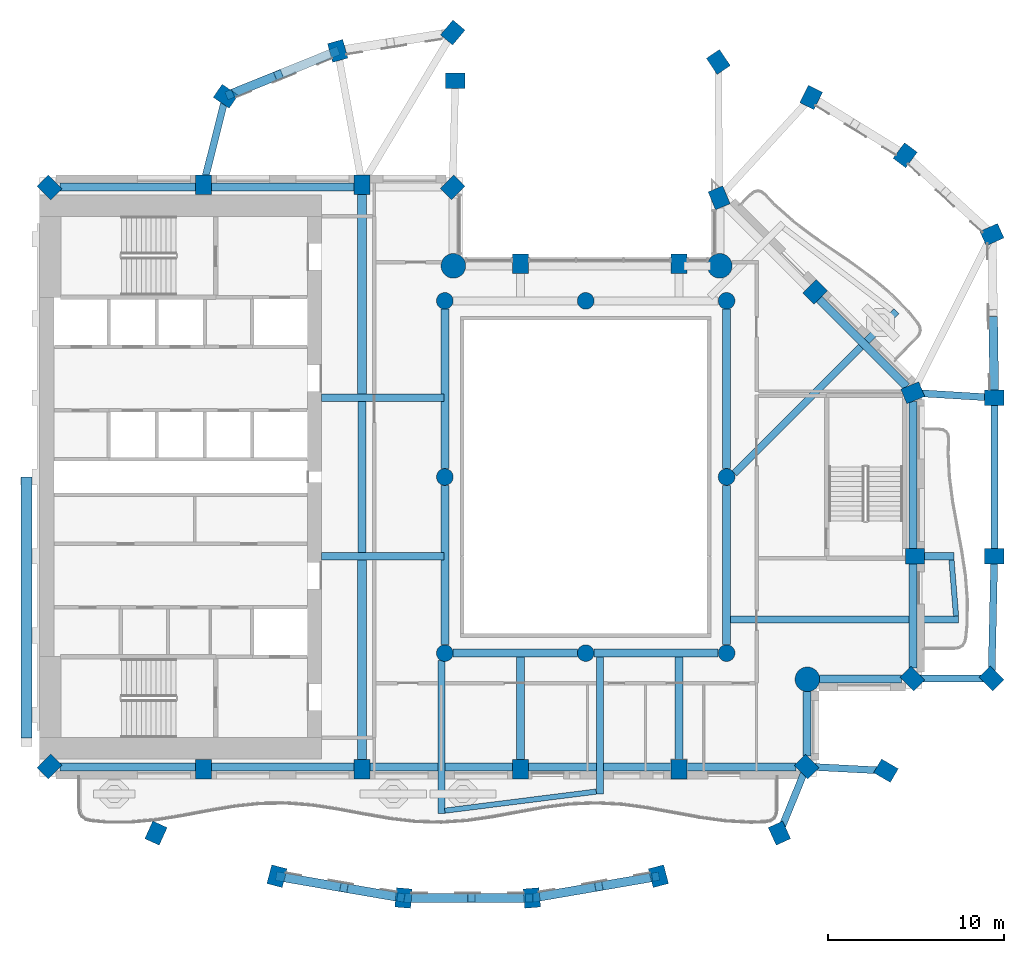
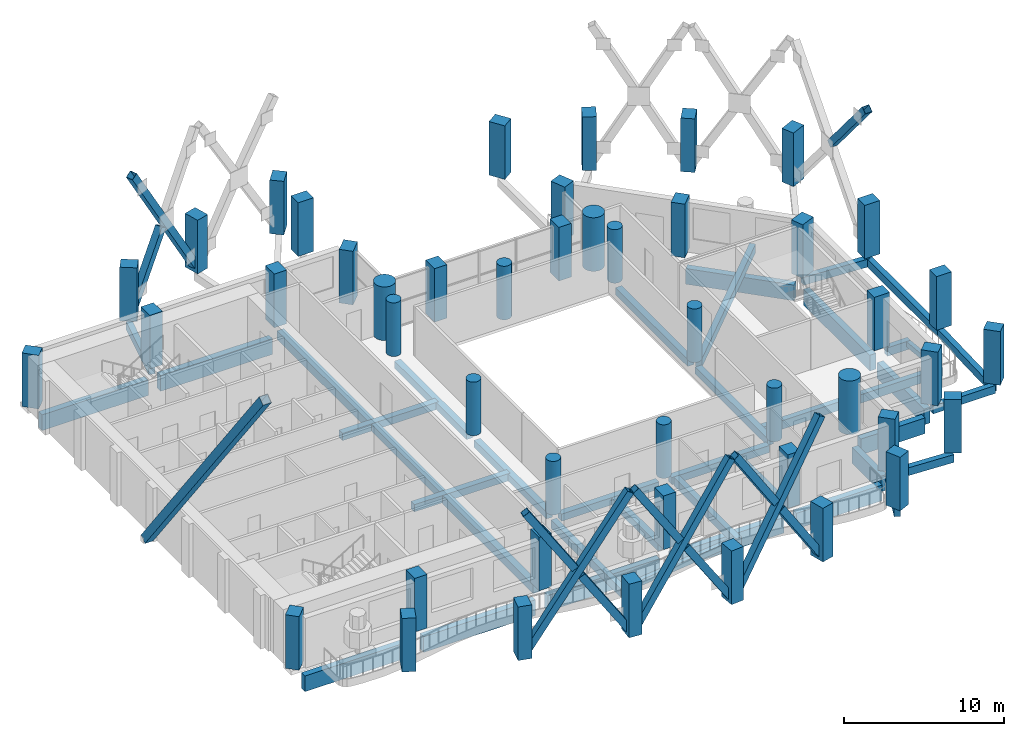
# One storey, part 1 of 17: 46 columns, 39 beams, 13 members.
"""IFC4 building model written with IfcOpenShell, lengths in metres."""

from ifc_helpers import new_model, si_unit, direction, frame, origin, origin_2d, place, context, subcontext, project, spatial, rectangle, hollow_rectangle, circle, extrude, material, material_profile, profile_set, type_object, element, save


model = new_model("IFC4")

# Units and contexts
model_context = context("Model", 3, precision=1e-05, world=origin(), true_north=direction((0.0, 1.0)))
body_context = subcontext(model_context, "Body", "Model", "MODEL_VIEW")
ifc_project = project(units=[si_unit("LENGTHUNIT", "METRE"), si_unit("AREAUNIT", "SQUARE_METRE"), si_unit("VOLUMEUNIT", "CUBIC_METRE"), si_unit("PLANEANGLEUNIT", "RADIAN"), si_unit("MASSUNIT", "GRAM", prefix="KILO")], contexts=[model_context])

# Site, building, storey
site_placement = place(None, origin())
site = spatial("IfcSite", under=ifc_project, at=site_placement, CompositionType="ELEMENT")
building_placement = place(site_placement, origin())
building = spatial("IfcBuilding", under=site, at=building_placement, Name="Cypress Arch Tower", CompositionType="ELEMENT")
storey_placement = place(building_placement, frame((0.0, 0.0, 217.89990234375)))
storey = spatial("IfcBuildingStorey", under=building, at=storey_placement, Name="L48", CompositionType="ELEMENT", Elevation=217.89990234375)

# Columns
ifc_material_1 = material(Name="Concrete C70/85", Category="concrete")
ifc_material_profile_1 = material_profile(ifc_material_1, rectangle(XDim=0.89990234375, YDim=1.10009765625, at=origin_2d()), Name="RC 900x1100")
ifc_profile_set_1 = profile_set([ifc_material_profile_1], Name="Concrete C70/85")
column_type_1 = type_object("IfcColumnType", Name="Column RC 900x1100 Concrete C70/85", PredefinedType="COLUMN", material=ifc_profile_set_1)
for number, where, z_axis, x_axis, name in (
    (1, (-29.44287109375, 16.44287109375, 0.0), (0.0, 0.0, 1.0), (-0.707106781187, -0.707106781187, 0.0), "Column L48 CB00"),
    (2, (-29.44287109375, -16.44287109375, 0.0), (0.0, 0.0, 1.0), (0.707106781187, -0.707106781187, 0.0), "Column L48 CB01"),
    (3, (-20.699951171875, -16.60009765625, 0.0), (0.0, 0.0, 1.0), (1.0, 0.0, 0.0), "Column L48 CB02"),
    (4, (-11.699951171875, -16.60009765625, 0.0), (0.0, 0.0, 1.0), (1.0, 0.0, 0.0), "Column L48 CB03"),
    (5, (-2.699951171875, -16.60009765625, 0.0), (0.0, 0.0, 1.0), (1.0, 0.0, 0.0), "Column L48 CB04"),
    (6, (6.300048828125, -16.60009765625, 0.0), (0.0, 0.0, 1.0), (1.0, 0.0, 0.0), "Column L48 CB05"),
    (7, (13.54296875, -16.44287109375, 0.0), (0.0, 0.0, 1.0), (0.707106781187, 0.707106781187, 0.0), "Column L48 CB06"),
    (8, (19.54296875, -11.44287109375, 0.0), (0.0, 0.0, 1.0), (0.707106781187, 0.707106781187, 0.0), "Column L48 CB08"),
    (9, (19.699951171875, -4.5, 0.0), (0.0, 0.0, 1.0), (0.0, 1.0, 0.0), "Column L48 CB09"),
    (10, (19.569580078125, 4.7802734375, 0.0), (0.0, 0.0, 1.0), (-0.382683496864, 0.923879505795, 0.0), "Column L48 CB10"),
    (11, (14.029296875, 10.505126953125, 0.0), (0.0, 0.0, 1.0), (-0.707106781187, 0.707106781187, 0.0), "Column L48 CB11"),
    (12, (8.576171875, 15.850341796875, 0.0), (0.0, 0.0, 1.0), (-0.923879672772, -0.382683093746, 0.0), "Column L48 CB12"),
    (13, (6.300048828125, 12.10009765625, 0.0), (0.0, 0.0, 1.0), (-1.0, 0.0, 0.0), "Column L48 CB14"),
    (14, (-2.699951171875, 12.10009765625, 0.0), (0.0, 0.0, 1.0), (-1.0, 0.0, 0.0), "Column L48 CB15"),
    (15, (-6.55712890625, 16.44287109375, 0.0), (0.0, 0.0, 1.0), (-0.707106781187, 0.707106781187, 0.0), "Column L48 CB17"),
    (16, (-11.699951171875, 16.60009765625, 0.0), (0.0, 0.0, 1.0), (-1.0, 0.0, 0.0), "Column L48 CB18"),
    (17, (-20.699951171875, 16.60009765625, 0.0), (0.0, 0.0, 1.0), (-1.0, 0.0, 0.0), "Column L48 CB19"),
    (18, (8.53076171875, 23.564697265625, 0.0), (0.0, 0.0, 1.0), (-0.828469606019, -0.560034027451, 0.0), "Column L48 CQ00"),
    (19, (-6.39990234375, 22.5, 0.0), (0.0, 0.0, 1.0), (0.0, 1.0, 0.0), "Column L48 CQ01"),
    (20, (-6.54833984375, 25.236572265625, 0.0), (0.0, 0.0, 1.0), (-0.766063514674, 0.642764880407, 0.0), "Column L48 CQ02"),
    (21, (-13.081298828125, 24.193359375, 0.0), (0.0, 0.0, 1.0), (-0.96345574646, -0.267867550506, 0.0), "Column L48 CQ03"),
    (22, (-19.44189453125, 21.616943359375, 0.0), (0.0, 0.0, 1.0), (-0.565892599589, -0.824478966215, 0.0), "Column L48 CQ04"),
    (23, (-23.398193359375, -20.221435546875, 0.0), (0.0, 0.0, 1.0), (0.909932071487, -0.414757308891, 0.0), "Column L48 CQ05"),
    (24, (-16.529052734375, -22.666259765625, 0.0), (0.0, 0.0, 1.0), (0.96735573689, -0.2534223319, 0.0), "Column L48 CQ06"),
    (25, (-9.3427734375, -23.903564453125, 0.0), (0.0, 0.0, 1.0), (0.996368206733, -0.085149260784, 0.0), "Column L48 CQ07"),
    (26, (-2.057373046875, -23.903564453125, 0.0), (0.0, 0.0, 1.0), (0.996368206733, 0.085149260784, 0.0), "Column L48 CQ08"),
    (27, (5.12890625, -22.666259765625, 0.0), (0.0, 0.0, 1.0), (0.96735573689, 0.2534223319, 0.0), "Column L48 CQ09"),
    (28, (11.998291015625, -20.221435546875, 0.0), (0.0, 0.0, 1.0), (0.909932071487, 0.414757308891, 0.0), "Column L48 CQ10"),
    (29, (18.048095703125, -16.677490234375, 0.0), (0.0, 0.0, 1.0), (0.504399289829, 0.86347053014, 0.0), "Column L48 CQ11"),
    (30, (24.04296875, -11.44287109375, 0.0), (0.0, 0.0, 1.0), (0.707106781187, 0.707106781187, 0.0), "Column L48 CQ12"),
    (31, (24.199951171875, -4.5, 0.0), (0.0, 0.0, 1.0), (0.0, 1.0, 0.0), "Column L48 CQ13"),
    (32, (24.199951171875, 4.5, 0.0), (0.0, 0.0, 1.0), (0.0, 1.0, 0.0), "Column L48 CQ14"),
    (33, (24.06396484375, 13.75927734375, 0.0), (0.0, 0.0, 1.0), (-0.409765058504, 0.912191096662, 0.0), "Column L48 CQ15"),
    (34, (19.13818359375, 18.267578125, 0.0), (0.0, 0.0, 1.0), (-0.802798546114, 0.596250362144, 0.0), "Column L48 CQ16"),
    (35, (13.80322265625, 21.549072265625, 0.0), (0.0, 0.0, 1.0), (-0.893106499805, 0.44984528452, 0.0), "Column L48 CQ17"),
):
    element("IfcColumn", number, at=place(storey_placement, frame(where, z_axis=z_axis, x_axis=x_axis)), inside=storey, type_object=column_type_1, Name=name, PredefinedType="COLUMN", context=body_context, shape_type="SweptSolid", body=[
        extrude(rectangle(XDim=0.89990234375, YDim=1.10009765625, at=origin_2d()), origin(), (0.0, 0.0, 1.0), 4.10009765625),
    ])
ifc_material_2 = material(Name="Concrete C70/85", Category="concrete")
ifc_material_profile_2 = material_profile(ifc_material_2, circle(Radius=0.47509765625, at=origin_2d()), Name="RC D950")
ifc_profile_set_2 = profile_set([ifc_material_profile_2], Name="Concrete C70/85")
column_type_2 = type_object("IfcColumnType", Name="Column RC D950 Concrete C70/85", PredefinedType="COLUMN", material=ifc_profile_set_2)
for number, where, z_axis, x_axis, name in (
    (36, (-7.0, -10.0, 0.0), (0.0, 0.0, 1.0), (1.0, 0.0, 0.0), "Column L48 RNG-L48-G-7-10"),
    (37, (-7.0, 0.0, 0.0), (0.0, 0.0, 1.0), (1.0, 0.0, 0.0), "Column L48 RNG-L48-G-7+0"),
    (38, (-7.0, 10.0, 0.0), (0.0, 0.0, 1.0), (1.0, 0.0, 0.0), "Column L48 RNG-L48-G-7+10"),
    (39, (1.0, -10.0, 0.0), (0.0, 0.0, 1.0), (1.0, 0.0, 0.0), "Column L48 RNG-L48-G+1-10"),
    (40, (1.0, 10.0, 0.0), (0.0, 0.0, 1.0), (1.0, 0.0, 0.0), "Column L48 RNG-L48-G+1+10"),
    (41, (9.0, -10.0, 0.0), (0.0, 0.0, 1.0), (1.0, 0.0, 0.0), "Column L48 RNG-L48-G+9-10"),
    (42, (9.0, 0.0, 0.0), (0.0, 0.0, 1.0), (1.0, 0.0, 0.0), "Column L48 RNG-L48-G+9+0"),
    (43, (9.0, 10.0, 0.0), (0.0, 0.0, 1.0), (1.0, 0.0, 0.0), "Column L48 RNG-L48-G+9+10"),
):
    element("IfcColumn", number, at=place(storey_placement, frame(where, z_axis=z_axis, x_axis=x_axis)), inside=storey, type_object=column_type_2, Name=name, PredefinedType="COLUMN", context=body_context, shape_type="SweptSolid", body=[
        extrude(circle(Radius=0.47509765625, at=origin_2d()), origin(), (0.0, 0.0, 1.0), 4.10009765625),
    ])
ifc_material_3 = material(Name="Concrete C70/85", Category="concrete")
ifc_material_profile_3 = material_profile(ifc_material_3, circle(Radius=0.699951171875, at=origin_2d()), Name="RC D1400")
ifc_profile_set_3 = profile_set([ifc_material_profile_3], Name="Concrete C70/85")
column_type_3 = type_object("IfcColumnType", Name="Mega-column RC D1400 Concrete C70/85", PredefinedType="COLUMN", material=ifc_profile_set_3)
for number, where, z_axis, x_axis, name in (
    (44, (13.587890625, -11.48779296875, 0.0), (0.0, 0.0, 1.0), (1.0, 0.0, 0.0), "Column L48 CB07"),
    (45, (8.612060546875, 11.98779296875, 0.0), (0.0, 0.0, 1.0), (1.0, 0.0, 0.0), "Column L48 CB13"),
    (46, (-6.51220703125, 11.98779296875, 0.0), (0.0, 0.0, 1.0), (1.0, 0.0, 0.0), "Column L48 CB16"),
):
    element("IfcColumn", number, at=place(storey_placement, frame(where, z_axis=z_axis, x_axis=x_axis)), inside=storey, type_object=column_type_3, Name=name, PredefinedType="COLUMN", context=body_context, shape_type="SweptSolid", body=[
        extrude(circle(Radius=0.699951171875, at=origin_2d()), origin(), (0.0, 0.0, 1.0), 4.10009765625),
    ])

# Beams
ifc_material_4 = material(Name="Concrete C50/60", Category="concrete")
ifc_material_profile_4 = material_profile(ifc_material_4, rectangle(XDim=0.300048828125, YDim=0.39990234375, at=origin_2d()), Name="RC 300x400")
ifc_profile_set_4 = profile_set([ifc_material_profile_4], Name="Concrete C50/60")
beam_type_1 = type_object("IfcBeamType", Name="Balcony edge beam RC 300x400 Concrete C50/60", PredefinedType="BEAM", material=ifc_profile_set_4)
beam_1_placement = place(storey_placement, frame((22.029052734375, -7.89990234375, -0.5), z_axis=(-0.080911835142, 0.996721262407, 0.0), x_axis=(-0.996721262407, -0.080911835142, 0.0)))
element("IfcBeam", 47, at=beam_1_placement, inside=storey, type_object=beam_type_1, Name="Balcony edge beam L48 B04", PredefinedType="BEAM", context=body_context, shape_type="SweptSolid", body=[
    extrude(rectangle(XDim=0.300048828125, YDim=0.39990234375, at=origin_2d()), origin(), (0.0, 0.0, 1.0), 3.21044921875),
])
ifc_material_5 = material(Name="Concrete C50/60", Category="concrete")
ifc_material_profile_5 = material_profile(ifc_material_5, rectangle(XDim=0.300048828125, YDim=0.449951171875, at=origin_2d()), Name="RC 300x450")
ifc_profile_set_5 = profile_set([ifc_material_profile_5], Name="Concrete C50/60")
beam_type_2 = type_object("IfcBeamType", Name="Balcony edge beam RC 300x450 Concrete C50/60", PredefinedType="BEAM", material=ifc_profile_set_5)
beam_2_placement = place(storey_placement, frame((-7.0, -18.947021484375, -0.52490234375), z_axis=(0.99213247763, 0.125192439195, 0.0), x_axis=(-0.125192439195, 0.99213247763, 0.0)))
element("IfcBeam", 48, at=beam_2_placement, inside=storey, type_object=beam_type_2, Name="Balcony edge beam L48 B01", PredefinedType="BEAM", context=body_context, shape_type="SweptSolid", body=[
    extrude(rectangle(XDim=0.300048828125, YDim=0.449951171875, at=origin_2d()), origin(), (0.0, 0.0, 1.0), 8.668212890625),
])
ifc_material_6 = material(Name="Concrete C50/60", Category="concrete")
ifc_material_profile_6 = material_profile(ifc_material_6, rectangle(XDim=0.39990234375, YDim=0.64990234375, at=origin_2d()), Name="RC 400x650")
ifc_profile_set_6 = profile_set([ifc_material_profile_6], Name="Concrete C50/60")
beam_type_3 = type_object("IfcBeamType", Name="Cantilever beam RC 400x650 Concrete C50/60", PredefinedType="BEAM", material=ifc_profile_set_6)
beam_3_placement = place(storey_placement, frame((-7.199951171875, -10.4306640625, -0.625), z_axis=(0.0, -1.0, 0.0), x_axis=(1.0, 0.0, 0.0)))
element("IfcBeam", 49, at=beam_3_placement, inside=storey, type_object=beam_type_3, Name="Cantilever beam L48 B01 1", PredefinedType="BEAM", context=body_context, shape_type="SweptSolid", body=[
    extrude(rectangle(XDim=0.39990234375, YDim=0.64990234375, at=origin_2d()), origin(), (0.0, 0.0, 1.0), 8.66650390625),
])
beam_4_placement = place(storey_placement, frame((1.800048828125, -10.22509765625, -0.625), z_axis=(0.0, -1.0, 0.0), x_axis=(1.0, 0.0, 0.0)))
element("IfcBeam", 50, at=beam_4_placement, inside=storey, type_object=beam_type_3, Name="Cantilever beam L48 B01 2", PredefinedType="BEAM", context=body_context, shape_type="SweptSolid", body=[
    extrude(rectangle(XDim=0.39990234375, YDim=0.64990234375, at=origin_2d()), origin(), (0.0, 0.0, 1.0), 7.78662109375),
])
beam_5_placement = place(storey_placement, frame((9.22509765625, -8.10009765625, -0.625), z_axis=(1.0, 0.0, 0.0), x_axis=(0.0, 1.0, 0.0)))
element("IfcBeam", 51, at=beam_5_placement, inside=storey, type_object=beam_type_3, Name="Cantilever beam L48 B04 1", PredefinedType="BEAM", context=body_context, shape_type="SweptSolid", body=[
    extrude(rectangle(XDim=0.39990234375, YDim=0.64990234375, at=origin_2d()), origin(), (0.0, 0.0, 1.0), 12.9541015625),
])
beam_6_placement = place(storey_placement, frame((20.25, -4.5, -0.625), z_axis=(1.0, 0.0, 0.0), x_axis=(0.0, 1.0, 0.0)))
element("IfcBeam", 52, at=beam_6_placement, inside=storey, type_object=beam_type_3, Name="Cantilever beam L48 B04 2", PredefinedType="BEAM", context=body_context, shape_type="SweptSolid", body=[
    extrude(rectangle(XDim=0.39990234375, YDim=0.64990234375, at=origin_2d()), origin(), (0.0, 0.0, 1.0), 1.66943359375),
])
beam_7_placement = place(storey_placement, frame((9.4287109375, 0.204345703125, -0.625), z_axis=(0.707106781187, 0.707106781187, 0.0), x_axis=(-0.707106781187, 0.707106781187, 0.0)))
element("IfcBeam", 53, at=beam_7_placement, inside=storey, type_object=beam_type_3, Name="Cantilever beam L48 B05 1", PredefinedType="BEAM", context=body_context, shape_type="SweptSolid", body=[
    extrude(rectangle(XDim=0.39990234375, YDim=0.64990234375, at=origin_2d()), origin(), (0.0, 0.0, 1.0), 13.0185546875),
])

# Members
ifc_material_7 = material(Name="Steel ASTM A500 Grade C", Category="steel")
ifc_material_profile_7 = material_profile(ifc_material_7, hollow_rectangle(XDim=0.508056640625, YDim=0.508056640625, WallThickness=0.017578125, at=origin_2d()), Name="HSS 20x20x3/4")
ifc_profile_set_7 = profile_set([ifc_material_profile_7], Name="Steel ASTM A500 Grade C")
member_type_1 = type_object("IfcMemberType", Name="Exoskeleton brace HSS 20x20x3/4 Steel ASTM A500 Grade C", PredefinedType="BRACE", material=ifc_profile_set_7)
member_1_placement = place(storey_placement, frame((-13.226806640625, 24.13427734375, 0.25390625), z_axis=(-0.487398996973, -0.197419142906, 0.850569162246), x_axis=(0.375419205313, -0.926855123675, 0.0)))
element("IfcMember", 54, at=member_1_placement, inside=storey, type_object=member_type_1, Name="Exoskeleton brace L48 CQ03-CQ04a", PredefinedType="BRACE", context=body_context, shape_type="SweptSolid", body=[
    extrude(hollow_rectangle(XDim=0.508056640625, YDim=0.508056640625, WallThickness=0.017578125, at=origin_2d()), origin(), (0.0, 0.0, 1.0), 12.288818359375),
])
member_2_placement = place(storey_placement, frame((-19.21630859375, 21.708251953125, 0.39404296875), z_axis=(0.492196682615, 0.199382322457, 0.847342383641), x_axis=(-0.375451388539, 0.926842087329, 0.0)))
element("IfcMember", 55, at=member_2_placement, inside=storey, type_object=member_type_1, Name="Exoskeleton brace L48 CQ03-CQ04b2", PredefinedType="BRACE", context=body_context, shape_type="SweptSolid", body=[
    extrude(hollow_rectangle(XDim=0.508056640625, YDim=0.508056640625, WallThickness=0.017578125, at=origin_2d()), origin(), (0.0, 0.0, 1.0), 5.63623046875),
])
member_3_placement = place(storey_placement, frame((-16.371826171875, -22.693115234375, 0.24267578125), z_axis=(0.541092669505, -0.093193735319, 0.835783255818), x_axis=(0.169733395085, 0.9854900175, 0.0)))
element("IfcMember", 56, at=member_3_placement, inside=storey, type_object=member_type_1, Name="Exoskeleton brace L48 CQ06-CQ07a", PredefinedType="BRACE", context=body_context, shape_type="SweptSolid", body=[
    extrude(hollow_rectangle(XDim=0.508056640625, YDim=0.508056640625, WallThickness=0.017578125, at=origin_2d()), origin(), (0.0, 0.0, 1.0), 12.700439453125),
])
for number, where, z_axis, x_axis, name in (
    (57, (-16.371826171875, -22.693115234375, 10.857421875), (0.541088154541, -0.093210601293, -0.835784298023), (0.169764603538, 0.985484641882, 0.0), "Exoskeleton brace L48 CQ06-CQ07b1"),
    (58, (-9.499755859375, -23.876708984375, 0.24267578125), (-0.541088154541, 0.093210601293, 0.835784298023), (-0.169764603538, -0.985484641882, 0.0), "Exoskeleton brace L48 CQ06-CQ07b2"),
):
    element("IfcMember", number, at=place(storey_placement, frame(where, z_axis=z_axis, x_axis=x_axis)), inside=storey, type_object=member_type_1, Name=name, PredefinedType="BRACE", context=body_context, shape_type="SweptSolid", body=[
        extrude(hollow_rectangle(XDim=0.508056640625, YDim=0.508056640625, WallThickness=0.017578125, at=origin_2d()), origin(), (0.0, 0.0, 1.0), 5.964111328125),
    ])
member_4_placement = place(storey_placement, frame((-9.183349609375, -23.903564453125, 0.24267578125), z_axis=(0.548704321507, 0.0, 0.836016487612), x_axis=(0.0, 1.0, 0.0)))
element("IfcMember", 59, at=member_4_placement, inside=storey, type_object=member_type_1, Name="Exoskeleton brace L48 CQ07-CQ08a", PredefinedType="BRACE", context=body_context, shape_type="SweptSolid", body=[
    extrude(hollow_rectangle(XDim=0.508056640625, YDim=0.508056640625, WallThickness=0.017578125, at=origin_2d()), origin(), (0.0, 0.0, 1.0), 12.69677734375),
])
member_5_placement = place(storey_placement, frame((-9.183349609375, -23.903564453125, 10.857421875), z_axis=(0.548703848846, 0.0, -0.836016797835), x_axis=(0.0, 1.0, 0.0)))
element("IfcMember", 60, at=member_5_placement, inside=storey, type_object=member_type_1, Name="Exoskeleton brace L48 CQ07-CQ08b1", PredefinedType="BRACE", context=body_context, shape_type="SweptSolid", body=[
    extrude(hollow_rectangle(XDim=0.508056640625, YDim=0.508056640625, WallThickness=0.017578125, at=origin_2d()), origin(), (0.0, 0.0, 1.0), 5.961669921875),
])
member_6_placement = place(storey_placement, frame((-2.216552734375, -23.903564453125, 0.24267578125), z_axis=(-0.548713684642, 0.0, 0.836010342213), x_axis=(0.0, -1.0, 0.0)))
element("IfcMember", 61, at=member_6_placement, inside=storey, type_object=member_type_1, Name="Exoskeleton brace L48 CQ07-CQ08b2", PredefinedType="BRACE", context=body_context, shape_type="SweptSolid", body=[
    extrude(hollow_rectangle(XDim=0.508056640625, YDim=0.508056640625, WallThickness=0.017578125, at=origin_2d()), origin(), (0.0, 0.0, 1.0), 5.962158203125),
])
member_7_placement = place(storey_placement, frame((-1.900146484375, -23.876708984375, 0.24267578125), z_axis=(0.541092669505, 0.093193735319, 0.835783255818), x_axis=(-0.169733395085, 0.9854900175, 0.0)))
element("IfcMember", 62, at=member_7_placement, inside=storey, type_object=member_type_1, Name="Exoskeleton brace L48 CQ08-CQ09a", PredefinedType="BRACE", context=body_context, shape_type="SweptSolid", body=[
    extrude(hollow_rectangle(XDim=0.508056640625, YDim=0.508056640625, WallThickness=0.017578125, at=origin_2d()), origin(), (0.0, 0.0, 1.0), 12.700439453125),
])
for number, where, z_axis, x_axis, name in (
    (63, (-1.900146484375, -23.876708984375, 10.857421875), (0.541088154541, 0.093210601293, -0.835784298023), (-0.169764603538, 0.985484641882, 0.0), "Exoskeleton brace L48 CQ08-CQ09b1"),
    (64, (4.971923828125, -22.693115234375, 0.24267578125), (-0.541088154541, -0.093210601293, 0.835784298023), (0.169764603538, -0.985484641882, 0.0), "Exoskeleton brace L48 CQ08-CQ09b2"),
):
    element("IfcMember", number, at=place(storey_placement, frame(where, z_axis=z_axis, x_axis=x_axis)), inside=storey, type_object=member_type_1, Name=name, PredefinedType="BRACE", context=body_context, shape_type="SweptSolid", body=[
        extrude(hollow_rectangle(XDim=0.508056640625, YDim=0.508056640625, WallThickness=0.017578125, at=origin_2d()), origin(), (0.0, 0.0, 1.0), 5.964111328125),
    ])
member_8_placement = place(storey_placement, frame((24.197509765625, 4.675048828125, 10.890380859375), z_axis=(-0.009394565825, 0.638830476121, -0.769290169515), x_axis=(-0.999891886048, -0.014704292442, 0.0)))
element("IfcMember", 65, at=member_8_placement, inside=storey, type_object=member_type_1, Name="Exoskeleton brace L48 CQ14-CQ15b1", PredefinedType="BRACE", context=body_context, shape_type="SweptSolid", body=[
    extrude(hollow_rectangle(XDim=0.508056640625, YDim=0.508056640625, WallThickness=0.017578125, at=origin_2d()), origin(), (0.0, 0.0, 1.0), 6.65283203125),
])

# Beams
ifc_material_8 = material(Name="Concrete C50/60", Category="concrete")
ifc_material_profile_8 = material_profile(ifc_material_8, rectangle(XDim=0.449951171875, YDim=0.550048828125, at=origin_2d()), Name="RC 450x550")
ifc_profile_set_8 = profile_set([ifc_material_profile_8], Name="Concrete C50/60")
beam_type_4 = type_object("IfcBeamType", Name="Floor beam RC 450x550 Concrete C50/60", PredefinedType="BEAM", material=ifc_profile_set_8)
for number, where, z_axis, x_axis, name in (
    (66, (-7.0, -9.52490234375, -0.574951171875), (0.0, 1.0, 0.0), (-1.0, 0.0, 0.0), "Floor beam L48 RB001"),
    (67, (-7.0, 0.47509765625, -0.574951171875), (0.0, 1.0, 0.0), (-1.0, 0.0, 0.0), "Floor beam L48 RB002"),
    (68, (9.0, -9.52490234375, -0.574951171875), (0.0, 1.0, 0.0), (-1.0, 0.0, 0.0), "Floor beam L48 RB003"),
    (69, (9.0, 0.47509765625, -0.574951171875), (0.0, 1.0, 0.0), (-1.0, 0.0, 0.0), "Floor beam L48 RB004"),
):
    element("IfcBeam", number, at=place(storey_placement, frame(where, z_axis=z_axis, x_axis=x_axis)), inside=storey, type_object=beam_type_4, Name=name, PredefinedType="BEAM", context=body_context, shape_type="SweptSolid", body=[
        extrude(rectangle(XDim=0.449951171875, YDim=0.550048828125, at=origin_2d()), origin(), (0.0, 0.0, 1.0), 9.0498046875),
    ])
for number, where, z_axis, x_axis, name in (
    (70, (-6.52490234375, -10.0, -0.574951171875), (1.0, 0.0, 0.0), (0.0, 1.0, 0.0), "Floor beam L48 RB005"),
    (71, (1.47509765625, -10.0, -0.574951171875), (1.0, 0.0, 0.0), (0.0, 1.0, 0.0), "Floor beam L48 RB006"),
):
    element("IfcBeam", number, at=place(storey_placement, frame(where, z_axis=z_axis, x_axis=x_axis)), inside=storey, type_object=beam_type_4, Name=name, PredefinedType="BEAM", context=body_context, shape_type="SweptSolid", body=[
        extrude(rectangle(XDim=0.449951171875, YDim=0.550048828125, at=origin_2d()), origin(), (0.0, 0.0, 1.0), 7.0498046875),
    ])
for number, where, z_axis, x_axis, name in (
    (72, (-14.0, -4.5, -0.574951171875), (1.0, 0.0, 0.0), (0.0, 1.0, 0.0), "Floor beam L48 FB009"),
    (73, (-14.0, 4.5, -0.574951171875), (1.0, 0.0, 0.0), (0.0, 1.0, 0.0), "Floor beam L48 FB010"),
):
    element("IfcBeam", number, at=place(storey_placement, frame(where, z_axis=z_axis, x_axis=x_axis)), inside=storey, type_object=beam_type_4, Name=name, PredefinedType="BEAM", context=body_context, shape_type="SweptSolid", body=[
        extrude(rectangle(XDim=0.449951171875, YDim=0.550048828125, at=origin_2d()), origin(), (0.0, 0.0, 1.0), 6.949951171875),
    ])
beam_8_placement = place(storey_placement, frame((-11.699951171875, -4.27490234375, -0.574951171875), z_axis=(0.0, 1.0, 0.0), x_axis=(-1.0, 0.0, 0.0)))
element("IfcBeam", 74, at=beam_8_placement, inside=storey, type_object=beam_type_4, Name="Floor beam L48 FB012", PredefinedType="BEAM", context=body_context, shape_type="SweptSolid", body=[
    extrude(rectangle(XDim=0.449951171875, YDim=0.550048828125, at=origin_2d()), origin(), (0.0, 0.0, 1.0), 8.5498046875),
])
for number, where, z_axis, x_axis, name in (
    (75, (-2.699951171875, -16.050048828125, -0.574951171875), (0.0, 1.0, 0.0), (-1.0, 0.0, 0.0), "Floor beam L48 FB014"),
    (76, (6.300048828125, -16.050048828125, -0.574951171875), (0.0, 1.0, 0.0), (-1.0, 0.0, 0.0), "Floor beam L48 FB016"),
):
    element("IfcBeam", number, at=place(storey_placement, frame(where, z_axis=z_axis, x_axis=x_axis)), inside=storey, type_object=beam_type_4, Name=name, PredefinedType="BEAM", context=body_context, shape_type="SweptSolid", body=[
        extrude(rectangle(XDim=0.449951171875, YDim=0.550048828125, at=origin_2d()), origin(), (0.0, 0.0, 1.0), 5.824951171875),
    ])
ifc_material_9 = material(Name="Concrete C50/60", Category="concrete")
ifc_material_profile_9 = material_profile(ifc_material_9, rectangle(XDim=0.5, YDim=0.64990234375, at=origin_2d()), Name="RC 500x650")
ifc_profile_set_9 = profile_set([ifc_material_profile_9], Name="Concrete C50/60")
beam_type_5 = type_object("IfcBeamType", Name="Floor beam RC 500x650 Concrete C50/60", PredefinedType="BEAM", material=ifc_profile_set_9)
for number, where, z_axis, x_axis, name in (
    (77, (-11.699951171875, -16.050048828125, -0.625), (0.0, 1.0, 0.0), (-1.0, 0.0, 0.0), "Floor beam L48 FB011"),
    (78, (-11.699951171875, 4.72509765625, -0.625), (0.0, 1.0, 0.0), (-1.0, 0.0, 0.0), "Floor beam L48 FB013"),
):
    element("IfcBeam", number, at=place(storey_placement, frame(where, z_axis=z_axis, x_axis=x_axis)), inside=storey, type_object=beam_type_5, Name=name, PredefinedType="BEAM", context=body_context, shape_type="SweptSolid", body=[
        extrude(rectangle(XDim=0.5, YDim=0.64990234375, at=origin_2d()), origin(), (0.0, 0.0, 1.0), 11.324951171875),
    ])
ifc_material_10 = material(Name="Concrete C50/60", Category="concrete")
ifc_material_profile_10 = material_profile(ifc_material_10, rectangle(XDim=0.39990234375, YDim=0.60009765625, at=origin_2d()), Name="RC 400x600")
ifc_profile_set_10 = profile_set([ifc_material_profile_10], Name="Concrete C50/60")
beam_type_6 = type_object("IfcBeamType", Name="Pilotis tie beam RC 400x600 Concrete C50/60", PredefinedType="BEAM", material=ifc_profile_set_10)
beam_9_placement = place(storey_placement, frame((-19.44189453125, 21.616943359375, -0.599853515625), z_axis=(-0.243235271871, -0.969967320335, 0.0), x_axis=(0.969967320335, -0.243235271871, 0.0)))
element("IfcBeam", 79, at=beam_9_placement, inside=storey, type_object=beam_type_6, Name="Pilotis tie beam L48 CQ04-CB19", PredefinedType="BEAM", context=body_context, shape_type="SweptSolid", body=[
    extrude(rectangle(XDim=0.39990234375, YDim=0.60009765625, at=origin_2d()), origin(), (0.0, 0.0, 1.0), 5.172119140625),
])
beam_10_placement = place(storey_placement, frame((11.998291015625, -20.221435546875, -0.599853515625), z_axis=(0.378402283859, 0.925641243447, 0.0), x_axis=(-0.925641243447, 0.378402283859, 0.0)))
element("IfcBeam", 80, at=beam_10_placement, inside=storey, type_object=beam_type_6, Name="Pilotis tie beam L48 CQ10-CB06", PredefinedType="BEAM", context=body_context, shape_type="SweptSolid", body=[
    extrude(rectangle(XDim=0.39990234375, YDim=0.60009765625, at=origin_2d()), origin(), (0.0, 0.0, 1.0), 4.08203125),
])
beam_11_placement = place(storey_placement, frame((18.048095703125, -16.677490234375, -0.599853515625), z_axis=(-0.998646679968, 0.052007774316, 0.0), x_axis=(-0.052007774316, -0.998646679968, 0.0)))
element("IfcBeam", 81, at=beam_11_placement, inside=storey, type_object=beam_type_6, Name="Pilotis tie beam L48 CQ11-CB06", PredefinedType="BEAM", context=body_context, shape_type="SweptSolid", body=[
    extrude(rectangle(XDim=0.39990234375, YDim=0.60009765625, at=origin_2d()), origin(), (0.0, 0.0, 1.0), 4.51123046875),
])
beam_12_placement = place(storey_placement, frame((24.04296875, -11.44287109375, -0.599853515625), z_axis=(0.022604813971, 0.999744478547, 0.0), x_axis=(-0.999744478547, 0.022604813971, 0.0)))
element("IfcBeam", 82, at=beam_12_placement, inside=storey, type_object=beam_type_6, Name="Pilotis tie beam L48 CQ12-CQ13", PredefinedType="BEAM", context=body_context, shape_type="SweptSolid", body=[
    extrude(rectangle(XDim=0.39990234375, YDim=0.60009765625, at=origin_2d()), origin(), (0.0, 0.0, 1.0), 6.944580078125),
])
beam_13_placement = place(storey_placement, frame((24.04296875, -11.44287109375, -0.599853515625), z_axis=(-1.0, 0.0, 0.0), x_axis=(0.0, -1.0, 0.0)))
element("IfcBeam", 83, at=beam_13_placement, inside=storey, type_object=beam_type_6, Name="Pilotis tie beam L48 CQ12-CB08", PredefinedType="BEAM", context=body_context, shape_type="SweptSolid", body=[
    extrude(rectangle(XDim=0.39990234375, YDim=0.60009765625, at=origin_2d()), origin(), (0.0, 0.0, 1.0), 4.5),
])
beam_14_placement = place(storey_placement, frame((24.199951171875, 4.5, -0.599853515625), z_axis=(0.0, -1.0, 0.0), x_axis=(1.0, 0.0, 0.0)))
element("IfcBeam", 84, at=beam_14_placement, inside=storey, type_object=beam_type_6, Name="Pilotis tie beam L48 CQ14-CQ13", PredefinedType="BEAM", context=body_context, shape_type="SweptSolid", body=[
    extrude(rectangle(XDim=0.39990234375, YDim=0.60009765625, at=origin_2d()), origin(), (0.0, 0.0, 1.0), 9.0),
])
beam_15_placement = place(storey_placement, frame((24.199951171875, 4.5, -0.599853515625), z_axis=(-0.998173116263, 0.060418788225, 0.0), x_axis=(-0.060418788225, -0.998173116263, 0.0)))
element("IfcBeam", 85, at=beam_15_placement, inside=storey, type_object=beam_type_6, Name="Pilotis tie beam L48 CQ14-CB10", PredefinedType="BEAM", context=body_context, shape_type="SweptSolid", body=[
    extrude(rectangle(XDim=0.39990234375, YDim=0.60009765625, at=origin_2d()), origin(), (0.0, 0.0, 1.0), 4.638916015625),
])
ifc_material_11 = material(Name="Concrete C50/60", Category="concrete")
ifc_material_profile_11 = material_profile(ifc_material_11, rectangle(XDim=0.449951171875, YDim=1.199951171875, at=origin_2d()), Name="RC 450x1200")
ifc_profile_set_11 = profile_set([ifc_material_profile_11], Name="Concrete C50/60")
beam_type_7 = type_object("IfcBeamType", Name="Spandrel beam RC 450x1200 Concrete C50/60", PredefinedType="SPANDREL", material=ifc_profile_set_11)
beam_16_placement = place(storey_placement, frame((-28.838623046875, -16.47509765625, -1.5498046875), z_axis=(1.0, 0.0, 0.0), x_axis=(0.0, 1.0, 0.0)))
element("IfcBeam", 86, at=beam_16_placement, inside=storey, type_object=beam_type_7, Name="Spandrel beam L48 BB01-0", PredefinedType="SPANDREL", context=body_context, shape_type="SweptSolid", body=[
    extrude(rectangle(XDim=0.449951171875, YDim=1.199951171875, at=origin_2d()), origin(), (0.0, 0.0, 1.0), 7.688720703125),
])
for number, where, z_axis, x_axis, name in (
    (87, (-20.25, -16.47509765625, -1.5498046875), (1.0, 0.0, 0.0), (0.0, 1.0, 0.0), "Spandrel beam L48 BB01-1"),
    (88, (-11.25, -16.47509765625, -1.5498046875), (1.0, 0.0, 0.0), (0.0, 1.0, 0.0), "Spandrel beam L48 BB01-2"),
    (89, (-2.25, -16.47509765625, -1.5498046875), (1.0, 0.0, 0.0), (0.0, 1.0, 0.0), "Spandrel beam L48 BB01-3"),
):
    element("IfcBeam", number, at=place(storey_placement, frame(where, z_axis=z_axis, x_axis=x_axis)), inside=storey, type_object=beam_type_7, Name=name, PredefinedType="SPANDREL", context=body_context, shape_type="SweptSolid", body=[
        extrude(rectangle(XDim=0.449951171875, YDim=1.199951171875, at=origin_2d()), origin(), (0.0, 0.0, 1.0), 8.10009765625),
    ])
beam_17_placement = place(storey_placement, frame((6.75, -16.47509765625, -1.5498046875), z_axis=(1.0, 0.0, 0.0), x_axis=(0.0, 1.0, 0.0)))
element("IfcBeam", 90, at=beam_17_placement, inside=storey, type_object=beam_type_7, Name="Spandrel beam L48 BB01-4", PredefinedType="SPANDREL", context=body_context, shape_type="SweptSolid", body=[
    extrude(rectangle(XDim=0.449951171875, YDim=1.199951171875, at=origin_2d()), origin(), (0.0, 0.0, 1.0), 6.188720703125),
])
beam_18_placement = place(storey_placement, frame((13.574951171875, -15.838623046875, -1.5498046875), z_axis=(0.0, 1.0, 0.0), x_axis=(-1.0, 0.0, 0.0)))
element("IfcBeam", 91, at=beam_18_placement, inside=storey, type_object=beam_type_7, Name="Spandrel beam L48 BB02-0", PredefinedType="SPANDREL", context=body_context, shape_type="SweptSolid", body=[
    extrude(rectangle(XDim=0.449951171875, YDim=1.199951171875, at=origin_2d()), origin(), (0.0, 0.0, 1.0), 3.651123046875),
])
beam_19_placement = place(storey_placement, frame((14.28759765625, -11.47509765625, -1.5498046875), z_axis=(1.0, 0.0, 0.0), x_axis=(0.0, 1.0, 0.0)))
element("IfcBeam", 92, at=beam_19_placement, inside=storey, type_object=beam_type_7, Name="Spandrel beam L48 BB03-0", PredefinedType="SPANDREL", context=body_context, shape_type="SweptSolid", body=[
    extrude(rectangle(XDim=0.449951171875, YDim=1.199951171875, at=origin_2d()), origin(), (0.0, 0.0, 1.0), 4.651123046875),
])
beam_20_placement = place(storey_placement, frame((19.574951171875, -10.838623046875, -1.5498046875), z_axis=(0.0, 1.0, 0.0), x_axis=(-1.0, 0.0, 0.0)))
element("IfcBeam", 93, at=beam_20_placement, inside=storey, type_object=beam_type_7, Name="Spandrel beam L48 BB04-0", PredefinedType="SPANDREL", context=body_context, shape_type="SweptSolid", body=[
    extrude(rectangle(XDim=0.449951171875, YDim=1.199951171875, at=origin_2d()), origin(), (0.0, 0.0, 1.0), 5.888671875),
])
beam_21_placement = place(storey_placement, frame((19.574951171875, -4.050048828125, -1.5498046875), z_axis=(0.0, 1.0, 0.0), x_axis=(-1.0, 0.0, 0.0)))
element("IfcBeam", 94, at=beam_21_placement, inside=storey, type_object=beam_type_7, Name="Spandrel beam L48 BB04-1", PredefinedType="SPANDREL", context=body_context, shape_type="SweptSolid", body=[
    extrude(rectangle(XDim=0.449951171875, YDim=1.199951171875, at=origin_2d()), origin(), (0.0, 0.0, 1.0), 8.345458984375),
])
beam_22_placement = place(storey_placement, frame((19.23046875, 5.126953125, -1.5498046875), z_axis=(-0.707106781187, 0.707106781187, 0.0), x_axis=(-0.707106781187, -0.707106781187, 0.0)))
element("IfcBeam", 95, at=beam_22_placement, inside=storey, type_object=beam_type_7, Name="Spandrel beam L48 BB05-0", PredefinedType="SPANDREL", context=body_context, shape_type="SweptSolid", body=[
    extrude(rectangle(XDim=0.449951171875, YDim=1.199951171875, at=origin_2d()), origin(), (0.0, 0.0, 1.0), 7.03076171875),
])
beam_23_placement = place(storey_placement, frame((-12.14990234375, 16.47509765625, -1.5498046875), z_axis=(-1.0, 0.0, 0.0), x_axis=(0.0, -1.0, 0.0)))
element("IfcBeam", 96, at=beam_23_placement, inside=storey, type_object=beam_type_7, Name="Spandrel beam L48 BB09-1", PredefinedType="SPANDREL", context=body_context, shape_type="SweptSolid", body=[
    extrude(rectangle(XDim=0.449951171875, YDim=1.199951171875, at=origin_2d()), origin(), (0.0, 0.0, 1.0), 8.10009765625),
])
beam_24_placement = place(storey_placement, frame((-21.14990234375, 16.47509765625, -1.5498046875), z_axis=(-1.0, 0.0, 0.0), x_axis=(0.0, -1.0, 0.0)))
element("IfcBeam", 97, at=beam_24_placement, inside=storey, type_object=beam_type_7, Name="Spandrel beam L48 BB09-2", PredefinedType="SPANDREL", context=body_context, shape_type="SweptSolid", body=[
    extrude(rectangle(XDim=0.449951171875, YDim=1.199951171875, at=origin_2d()), origin(), (0.0, 0.0, 1.0), 7.688720703125),
])

# Member
ifc_material_12 = material(Name="Steel ASTM A501 Grade B", Category="steel")
ifc_material_profile_12 = material_profile(ifc_material_12, hollow_rectangle(XDim=0.609619140625, YDim=0.609619140625, WallThickness=0.023681640625, at=origin_2d()), Name="HSS 24x24x1")
ifc_profile_set_12 = profile_set([ifc_material_profile_12], Name="Steel ASTM A501 Grade B")
member_type_2 = type_object("IfcMemberType", Name="West bracing diagonal HSS 24x24x1 Steel ASTM A501 Grade B", PredefinedType="BRACE", material=ifc_profile_set_12)
member_9_placement = place(storey_placement, frame((-30.7548828125, -15.052734375, 19.875244140625), z_axis=(0.0, 0.603751524231, -0.797172564122), x_axis=(-1.0, 0.0, 0.0)))
element("IfcMember", 98, at=member_9_placement, inside=storey, type_object=member_type_2, Name="West bracing diagonal 4B", PredefinedType="BRACE", context=body_context, shape_type="SweptSolid", body=[
    extrude(hollow_rectangle(XDim=0.609619140625, YDim=0.609619140625, WallThickness=0.023681640625, at=origin_2d()), origin(), (0.0, 0.0, 1.0), 24.530029296875),
])

save(model, "model.ifc")
